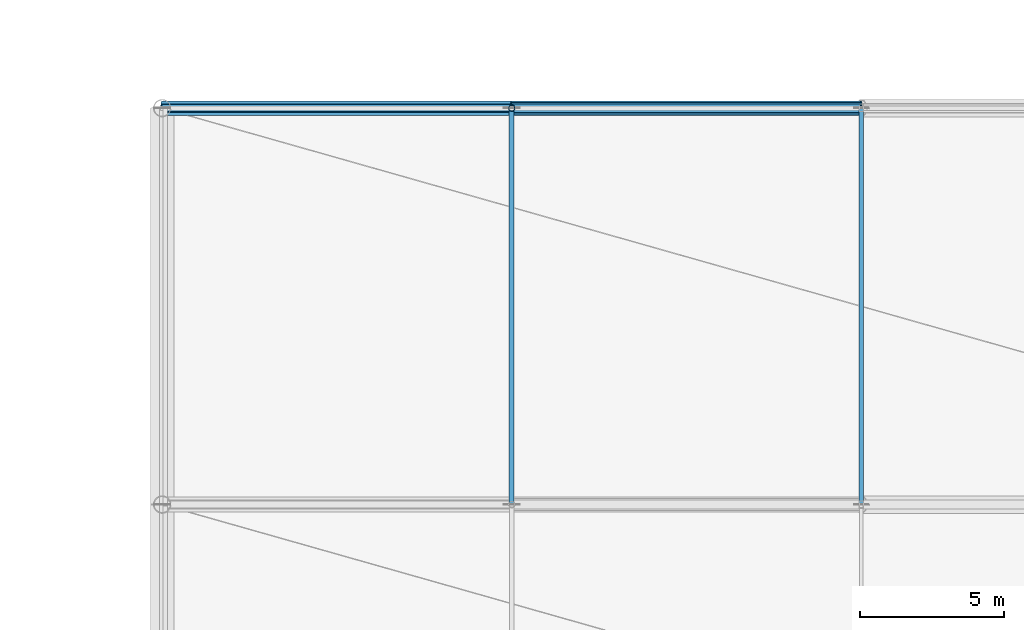
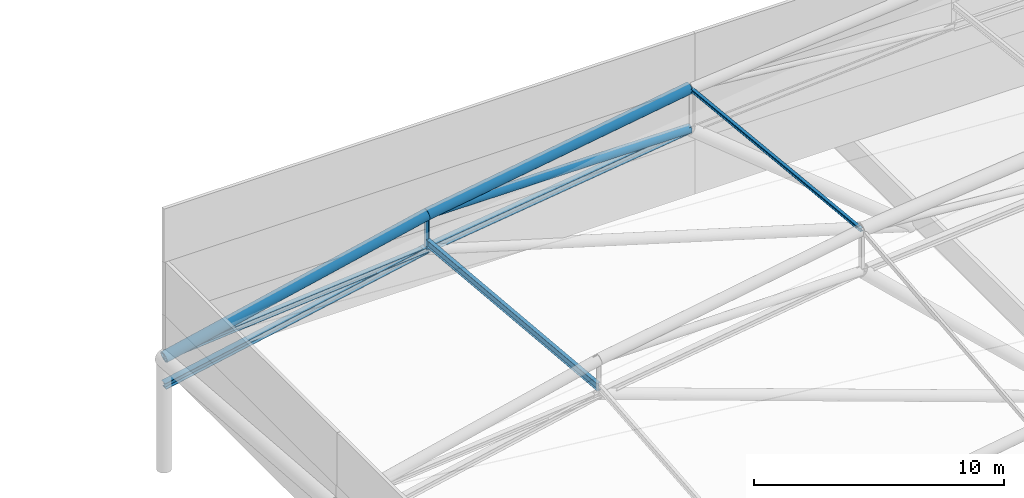
# One storey, part 49 of 113: 9 members.
"""IFC4 building model written with IfcOpenShell, lengths in metres."""

from ifc_helpers import new_model, si_unit, direction, frame, origin, origin_2d, place, context, subcontext, project, spatial, hollow_circle, i_section, extrude, material, material_profile, profile_set, type_object, element, save


model = new_model("IFC4")

# Units and contexts
model_context = context("Model", 3, precision=1e-05, world=origin(), true_north=direction((0.0, 1.0)))
body_context = subcontext(model_context, "Body", "Model", "MODEL_VIEW")
ifc_project = project(units=[si_unit("LENGTHUNIT", "METRE"), si_unit("AREAUNIT", "SQUARE_METRE"), si_unit("VOLUMEUNIT", "CUBIC_METRE"), si_unit("PLANEANGLEUNIT", "RADIAN"), si_unit("MASSUNIT", "GRAM", prefix="KILO")], contexts=[model_context])

# Site, building, storey
site_placement = place(None, origin())
site = spatial("IfcSite", under=ifc_project, at=site_placement, CompositionType="ELEMENT")
building_placement = place(site_placement, origin())
building = spatial("IfcBuilding", under=site, at=building_placement, Name="Linyun Crest Stadium", CompositionType="ELEMENT")
storey_placement = place(building_placement, frame((0.0, 0.0, 26.39990234375)))
storey = spatial("IfcBuildingStorey", under=building, at=storey_placement, Name="L06", CompositionType="ELEMENT", Elevation=26.39990234375)

# Members
ifc_material_1 = material(Name="Steel Q355C", Category="steel")
ifc_material_profile_1 = material_profile(ifc_material_1, i_section(OverallWidth=0.14990234375, OverallDepth=0.14990234375, WebThickness=0.007080078125, FlangeThickness=0.010009765625, at=origin_2d()), Name="HW 150x150")
ifc_profile_set_1 = profile_set([ifc_material_profile_1], Name="Steel Q355C")
member_type_1 = type_object("IfcMemberType", Name="AR01", PredefinedType="USERDEFINED", material=ifc_profile_set_1)
member_1_placement = place(storey_placement, frame((59.75, 29.625, 11.502197265625), z_axis=(0.0, 0.994834033314, -0.101514758336), x_axis=(-1.0, 0.0, 0.0)))
element("IfcMember", 1, at=member_1_placement, inside=storey, type_object=member_type_1, Name="Art Nouveau canopy arch rib AR01 V2 360", ObjectType="ARCH RIB", PredefinedType="USERDEFINED", context=body_context, shape_type="SweptSolid", body=[
    extrude(i_section(OverallWidth=0.14990234375, OverallDepth=0.14990234375, WebThickness=0.007080078125, FlangeThickness=0.010009765625, at=origin_2d()), origin(), (0.0, 0.0, 1.0), 13.8212890625),
])
ifc_material_2 = material(Name="Steel Q355B", Category="steel")
ifc_material_profile_2 = material_profile(ifc_material_2, i_section(OverallWidth=0.175048828125, OverallDepth=0.35009765625, WebThickness=0.007080078125, FlangeThickness=0.010986328125, at=origin_2d()), Name="HN 350x175")
ifc_profile_set_2 = profile_set([ifc_material_profile_2], Name="Steel Q355B")
member_type_2 = type_object("IfcMemberType", Name="PR02", PredefinedType="PURLIN", material=ifc_profile_set_2)
member_2_placement = place(storey_placement, frame((47.625, 29.625, 8.092041015625), z_axis=(0.0, 0.99587405243, -0.09074619384), x_axis=(-1.0, 0.0, 0.0)))
element("IfcMember", 2, at=member_2_placement, inside=storey, type_object=member_type_2, Name="Roof canopy purlin PR02 V2 358", PredefinedType="PURLIN", context=body_context, shape_type="SweptSolid", body=[
    extrude(i_section(OverallWidth=0.175048828125, OverallDepth=0.35009765625, WebThickness=0.007080078125, FlangeThickness=0.010986328125, at=origin_2d()), origin(), (0.0, 0.0, 1.0), 13.806884765625),
])
ifc_material_3 = material(Name="Steel Q420C", Category="steel")
ifc_material_profile_3 = material_profile(ifc_material_3, hollow_circle(Radius=0.25390625, WallThickness=0.02490234375, at=origin_2d()), Name="CHS 508x25")
ifc_profile_set_3 = profile_set([ifc_material_profile_3], Name="Steel Q420C")
member_type_3 = type_object("IfcMemberType", Name="TC01", PredefinedType="CHORD", material=ifc_profile_set_3)
member_3_placement = place(storey_placement, frame((59.75, 43.375, 10.09912109375), z_axis=(-0.987629907488, 0.0, -0.15680295225), x_axis=(0.0, -1.0, 0.0)))
element("IfcMember", 3, at=member_3_placement, inside=storey, type_object=member_type_3, Name="Roof truss top chord TC01 V2 323", PredefinedType="CHORD", context=body_context, shape_type="SweptSolid", body=[
    extrude(hollow_circle(Radius=0.25390625, WallThickness=0.02490234375, at=origin_2d()), origin(), (0.0, 0.0, 1.0), 12.27685546875),
])
member_4_placement = place(storey_placement, frame((47.625, 43.375, 8.174072265625), z_axis=(-0.975645083267, 0.0, -0.219355126445), x_axis=(0.0, -1.0, 0.0)))
element("IfcMember", 4, at=member_4_placement, inside=storey, type_object=member_type_3, Name="Roof truss top chord TC01 V2 327", PredefinedType="CHORD", context=body_context, shape_type="SweptSolid", body=[
    extrude(hollow_circle(Radius=0.25390625, WallThickness=0.02490234375, at=origin_2d()), origin(), (0.0, 0.0, 1.0), 12.427734375),
])
ifc_material_4 = material(Name="Steel Q355C", Category="steel")
ifc_material_profile_4 = material_profile(ifc_material_4, i_section(OverallWidth=0.300048828125, OverallDepth=0.300048828125, WebThickness=0.010009765625, FlangeThickness=0.014892578125, at=origin_2d()), Name="HW 300x300")
ifc_profile_set_4 = profile_set([ifc_material_profile_4], Name="Steel Q355C")
member_type_4 = type_object("IfcMemberType", Name="TC03", PredefinedType="CHORD", material=ifc_profile_set_4)
member_5_placement = place(storey_placement, frame((59.75, 43.375, 8.123046875), z_axis=(-0.99126673082, 0.0, -0.131872166771), x_axis=(0.0, -1.0, 0.0)))
element("IfcMember", 5, at=member_5_placement, inside=storey, type_object=member_type_4, Name="Roof truss bottom chord TC03 V2 324", PredefinedType="CHORD", context=body_context, shape_type="SweptSolid", body=[
    extrude(i_section(OverallWidth=0.300048828125, OverallDepth=0.300048828125, WebThickness=0.010009765625, FlangeThickness=0.014892578125, at=origin_2d()), origin(), (0.0, 0.0, 1.0), 12.23193359375),
])
member_6_placement = place(storey_placement, frame((47.625, 43.375, 6.510009765625), z_axis=(-0.9807542225, 0.0, -0.195246395737), x_axis=(0.0, -1.0, 0.0)))
element("IfcMember", 6, at=member_6_placement, inside=storey, type_object=member_type_4, Name="Roof truss bottom chord TC03 V2 328", PredefinedType="CHORD", context=body_context, shape_type="SweptSolid", body=[
    extrude(i_section(OverallWidth=0.300048828125, OverallDepth=0.300048828125, WebThickness=0.010009765625, FlangeThickness=0.014892578125, at=origin_2d()), origin(), (0.0, 0.0, 1.0), 12.363037109375),
])
ifc_material_5 = material(Name="Steel Q420C", Category="steel")
ifc_material_profile_5 = material_profile(ifc_material_5, hollow_circle(Radius=0.202880859375, WallThickness=0.02001953125, at=origin_2d()), Name="CHS 406x20")
ifc_profile_set_5 = profile_set([ifc_material_profile_5], Name="Steel Q420C")
member_type_5 = type_object("IfcMemberType", Name="TD03", PredefinedType="BRACE", material=ifc_profile_set_5)
member_7_placement = place(storey_placement, frame((59.75, 43.375, 8.123046875), z_axis=(-0.999991145309, 0.0, 0.004208242376), x_axis=(0.0, -1.0, 0.0)))
element("IfcMember", 7, at=member_7_placement, inside=storey, type_object=member_type_5, Name="Roof truss diagonal TD03 V2 325", PredefinedType="BRACE", context=body_context, shape_type="SweptSolid", body=[
    extrude(hollow_circle(Radius=0.202880859375, WallThickness=0.02001953125, at=origin_2d()), origin(), (0.0, 0.0, 1.0), 12.125),
])
ifc_material_6 = material(Name="Steel Q355C", Category="steel")
ifc_material_profile_6 = material_profile(ifc_material_6, i_section(OverallWidth=0.25, OverallDepth=0.25, WebThickness=0.009033203125, FlangeThickness=0.013916015625, at=origin_2d()), Name="HW 250x250")
ifc_profile_set_6 = profile_set([ifc_material_profile_6], Name="Steel Q355C")
member_type_6 = type_object("IfcMemberType", Name="TD04", PredefinedType="BRACE", material=ifc_profile_set_6)
member_8_placement = place(storey_placement, frame((47.625, 43.375, 6.510009765625), z_axis=(-0.996186049794, 0.0, -0.08725453682), x_axis=(0.0, -1.0, 0.0)))
element("IfcMember", 8, at=member_8_placement, inside=storey, type_object=member_type_6, Name="Roof truss diagonal TD04 V2 329", PredefinedType="BRACE", context=body_context, shape_type="SweptSolid", body=[
    extrude(i_section(OverallWidth=0.25, OverallDepth=0.25, WebThickness=0.009033203125, FlangeThickness=0.013916015625, at=origin_2d()), origin(), (0.0, 0.0, 1.0), 12.17138671875),
])
ifc_material_7 = material(Name="Steel Q355C", Category="steel")
ifc_material_profile_7 = material_profile(ifc_material_7, hollow_circle(Radius=0.109619140625, WallThickness=0.011962890625, at=origin_2d()), Name="CHS 219x12")
ifc_profile_set_7 = profile_set([ifc_material_profile_7], Name="Steel Q355C")
member_type_7 = type_object("IfcMemberType", Name="TV01", PredefinedType="STRUT", material=ifc_profile_set_7)
member_9_placement = place(storey_placement, frame((47.625, 43.375, 6.510009765625), z_axis=(0.0, 0.0, 1.0), x_axis=(1.0, 0.0, 0.0)))
element("IfcMember", 9, at=member_9_placement, inside=storey, type_object=member_type_7, Name="Roof vertical strut TV01 V2 330", PredefinedType="STRUT", context=body_context, shape_type="SweptSolid", body=[
    extrude(hollow_circle(Radius=0.109619140625, WallThickness=0.011962890625, at=origin_2d()), origin(), (0.0, 0.0, 1.0), 1.6640625),
])

save(model, "model.ifc")
